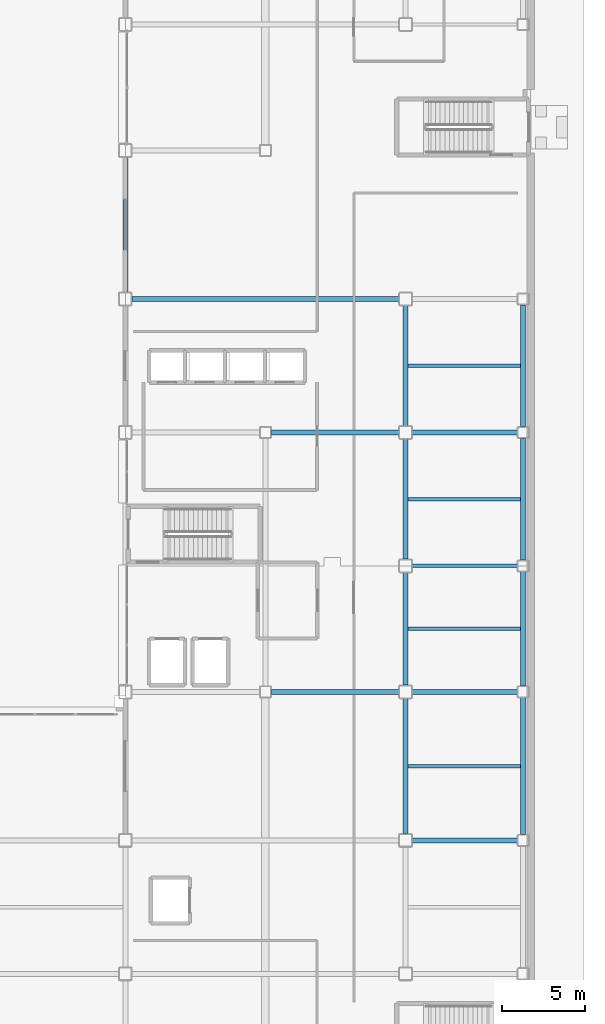
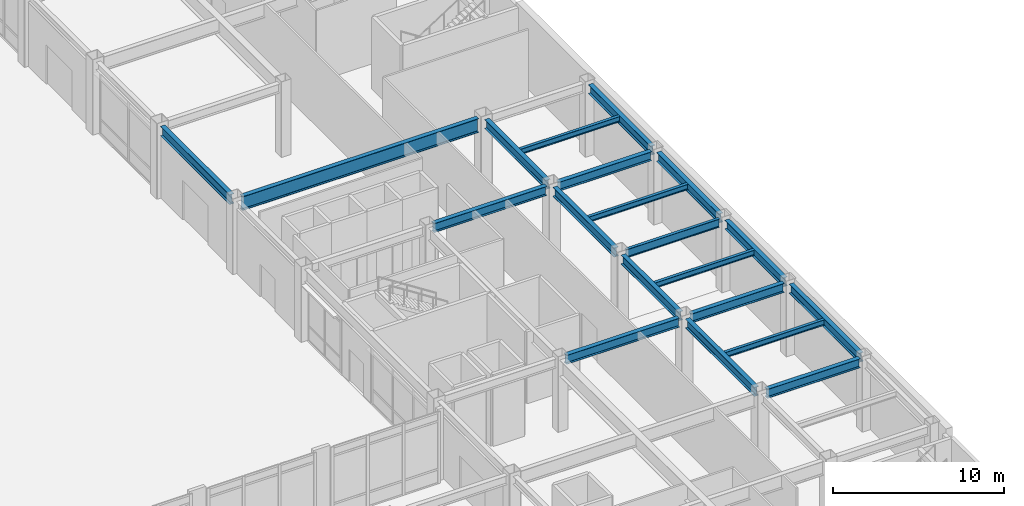
# One storey, part 100 of 165: 20 beams.
"""IFC4 building model written with IfcOpenShell, lengths in metres."""

from ifc_helpers import new_model, si_unit, direction, frame, origin, origin_2d, place, context, subcontext, project, spatial, i_section, extrude, material, material_profile, profile_set, type_object, element, save


model = new_model("IFC4")

# Units and contexts
model_context = context("Model", 3, precision=1e-05, world=origin(), true_north=direction((0.0, 1.0)))
body_context = subcontext(model_context, "Body", "Model", "MODEL_VIEW")
ifc_project = project(units=[si_unit("LENGTHUNIT", "METRE"), si_unit("AREAUNIT", "SQUARE_METRE"), si_unit("VOLUMEUNIT", "CUBIC_METRE"), si_unit("PLANEANGLEUNIT", "RADIAN"), si_unit("MASSUNIT", "GRAM", prefix="KILO")], contexts=[model_context])

# Site, building, storey
site_placement = place(None, origin())
site = spatial("IfcSite", under=ifc_project, at=site_placement, CompositionType="ELEMENT")
building_placement = place(site_placement, origin())
building = spatial("IfcBuilding", under=site, at=building_placement, Name="Kazehara Bluff Congress Hotel", CompositionType="ELEMENT")
storey_placement = place(building_placement, origin())
storey = spatial("IfcBuildingStorey", under=building, at=storey_placement, Name="L00", CompositionType="ELEMENT", Elevation=0.0)

# Beams
ifc_material_1 = material(Name="Steel SN490B", Category="steel")
ifc_material_profile_1 = material_profile(ifc_material_1, i_section(OverallWidth=0.300048828125, OverallDepth=0.64990234375, WebThickness=0.011962890625, FlangeThickness=0.02001953125, FilletRadius=0.012939453125, at=origin_2d()))
ifc_profile_set_1 = profile_set([ifc_material_profile_1], Name="Steel SN490B")
beam_type_1 = type_object("IfcBeamType", Name="TP-G-03", PredefinedType="BEAM", material=ifc_profile_set_1)
beam_1_placement = place(storey_placement, frame((160.5, 32.39990234375, 4.824951171875), z_axis=(0.0, 1.0, 0.0), x_axis=(-1.0, 0.0, 0.0)))
element("IfcBeam", 1, at=beam_1_placement, inside=storey, type_object=beam_type_1, Name="L00 girder G-03 252", PredefinedType="BEAM", context=body_context, shape_type="SweptSolid", body=[
    extrude(i_section(OverallWidth=0.300048828125, OverallDepth=0.64990234375, WebThickness=0.011962890625, FlangeThickness=0.02001953125, FilletRadius=0.012939453125, at=origin_2d()), origin(), (0.0, 0.0, 1.0), 8.10009765625),
])
beam_2_placement = place(storey_placement, frame((160.5, 41.300048828125, 4.824951171875), z_axis=(0.0, 1.0, 0.0), x_axis=(-1.0, 0.0, 0.0)))
element("IfcBeam", 2, at=beam_2_placement, inside=storey, type_object=beam_type_1, Name="L00 girder G-03 253", PredefinedType="BEAM", context=body_context, shape_type="SweptSolid", body=[
    extrude(i_section(OverallWidth=0.300048828125, OverallDepth=0.64990234375, WebThickness=0.011962890625, FlangeThickness=0.02001953125, FilletRadius=0.012939453125, at=origin_2d()), origin(), (0.0, 0.0, 1.0), 6.75),
])
for number, where, z_axis, x_axis, name in (
    (3, (160.5, 48.85009765625, 4.824951171875), (0.0, 1.0, 0.0), (-1.0, 0.0, 0.0), "L00 girder G-03 254"),
    (4, (160.5, 56.85009765625, 4.824951171875), (0.0, 1.0, 0.0), (-1.0, 0.0, 0.0), "L00 girder G-03 255"),
):
    element("IfcBeam", number, at=place(storey_placement, frame(where, z_axis=z_axis, x_axis=x_axis)), inside=storey, type_object=beam_type_1, Name=name, PredefinedType="BEAM", context=body_context, shape_type="SweptSolid", body=[
        extrude(i_section(OverallWidth=0.300048828125, OverallDepth=0.64990234375, WebThickness=0.011962890625, FlangeThickness=0.02001953125, FilletRadius=0.012939453125, at=origin_2d()), origin(), (0.0, 0.0, 1.0), 7.199951171875),
    ])
beam_3_placement = place(storey_placement, frame((167.550048828125, 32.35009765625, 4.824951171875), z_axis=(0.0, 1.0, 0.0), x_axis=(-1.0, 0.0, 0.0)))
element("IfcBeam", 5, at=beam_3_placement, inside=storey, type_object=beam_type_1, Name="L00 girder G-03 263", PredefinedType="BEAM", context=body_context, shape_type="SweptSolid", body=[
    extrude(i_section(OverallWidth=0.300048828125, OverallDepth=0.64990234375, WebThickness=0.011962890625, FlangeThickness=0.02001953125, FilletRadius=0.012939453125, at=origin_2d()), origin(), (0.0, 0.0, 1.0), 8.199951171875),
])
beam_4_placement = place(storey_placement, frame((167.550048828125, 41.25, 4.824951171875), z_axis=(0.0, 1.0, 0.0), x_axis=(-1.0, 0.0, 0.0)))
element("IfcBeam", 6, at=beam_4_placement, inside=storey, type_object=beam_type_1, Name="L00 girder G-03 264", PredefinedType="BEAM", context=body_context, shape_type="SweptSolid", body=[
    extrude(i_section(OverallWidth=0.300048828125, OverallDepth=0.64990234375, WebThickness=0.011962890625, FlangeThickness=0.02001953125, FilletRadius=0.012939453125, at=origin_2d()), origin(), (0.0, 0.0, 1.0), 6.85009765625),
])
for number, where, z_axis, x_axis, name in (
    (7, (167.550048828125, 48.800048828125, 4.824951171875), (0.0, 1.0, 0.0), (-1.0, 0.0, 0.0), "L00 girder G-03 265"),
    (8, (167.550048828125, 56.800048828125, 4.824951171875), (0.0, 1.0, 0.0), (-1.0, 0.0, 0.0), "L00 girder G-03 266"),
):
    element("IfcBeam", number, at=place(storey_placement, frame(where, z_axis=z_axis, x_axis=x_axis)), inside=storey, type_object=beam_type_1, Name=name, PredefinedType="BEAM", context=body_context, shape_type="SweptSolid", body=[
        extrude(i_section(OverallWidth=0.300048828125, OverallDepth=0.64990234375, WebThickness=0.011962890625, FlangeThickness=0.02001953125, FilletRadius=0.012939453125, at=origin_2d()), origin(), (0.0, 0.0, 1.0), 7.300048828125),
    ])
beam_5_placement = place(storey_placement, frame((160.89990234375, 32.0, 4.824951171875), z_axis=(1.0, 0.0, 0.0), x_axis=(0.0, 1.0, 0.0)))
element("IfcBeam", 9, at=beam_5_placement, inside=storey, type_object=beam_type_1, Name="L00 girder G-03 295", PredefinedType="BEAM", context=body_context, shape_type="SweptSolid", body=[
    extrude(i_section(OverallWidth=0.300048828125, OverallDepth=0.64990234375, WebThickness=0.011962890625, FlangeThickness=0.02001953125, FilletRadius=0.012939453125, at=origin_2d()), origin(), (0.0, 0.0, 1.0), 6.300048828125),
])
beam_6_placement = place(storey_placement, frame((152.449951171875, 40.89990234375, 4.824951171875), z_axis=(1.0, 0.0, 0.0), x_axis=(0.0, 1.0, 0.0)))
element("IfcBeam", 10, at=beam_6_placement, inside=storey, type_object=beam_type_1, Name="L00 girder G-03 297", PredefinedType="BEAM", context=body_context, shape_type="SweptSolid", body=[
    extrude(i_section(OverallWidth=0.300048828125, OverallDepth=0.64990234375, WebThickness=0.011962890625, FlangeThickness=0.02001953125, FilletRadius=0.012939453125, at=origin_2d()), origin(), (0.0, 0.0, 1.0), 7.650146484375),
])
beam_7_placement = place(storey_placement, frame((160.89990234375, 40.89990234375, 4.824951171875), z_axis=(1.0, 0.0, 0.0), x_axis=(0.0, 1.0, 0.0)))
element("IfcBeam", 11, at=beam_7_placement, inside=storey, type_object=beam_type_1, Name="L00 girder G-03 298", PredefinedType="BEAM", context=body_context, shape_type="SweptSolid", body=[
    extrude(i_section(OverallWidth=0.300048828125, OverallDepth=0.64990234375, WebThickness=0.011962890625, FlangeThickness=0.02001953125, FilletRadius=0.012939453125, at=origin_2d()), origin(), (0.0, 0.0, 1.0), 6.300048828125),
])
beam_8_placement = place(storey_placement, frame((152.449951171875, 56.449951171875, 4.824951171875), z_axis=(1.0, 0.0, 0.0), x_axis=(0.0, 1.0, 0.0)))
element("IfcBeam", 12, at=beam_8_placement, inside=storey, type_object=beam_type_1, Name="L00 girder G-03 301", PredefinedType="BEAM", context=body_context, shape_type="SweptSolid", body=[
    extrude(i_section(OverallWidth=0.300048828125, OverallDepth=0.64990234375, WebThickness=0.011962890625, FlangeThickness=0.02001953125, FilletRadius=0.012939453125, at=origin_2d()), origin(), (0.0, 0.0, 1.0), 7.650146484375),
])
beam_9_placement = place(storey_placement, frame((160.89990234375, 56.449951171875, 4.824951171875), z_axis=(1.0, 0.0, 0.0), x_axis=(0.0, 1.0, 0.0)))
element("IfcBeam", 13, at=beam_9_placement, inside=storey, type_object=beam_type_1, Name="L00 girder G-03 302", PredefinedType="BEAM", context=body_context, shape_type="SweptSolid", body=[
    extrude(i_section(OverallWidth=0.300048828125, OverallDepth=0.64990234375, WebThickness=0.011962890625, FlangeThickness=0.02001953125, FilletRadius=0.012939453125, at=origin_2d()), origin(), (0.0, 0.0, 1.0), 6.300048828125),
])
ifc_material_2 = material(Name="Steel SN490B", Category="steel")
ifc_material_profile_2 = material_profile(ifc_material_2, i_section(OverallWidth=0.300048828125, OverallDepth=1.0, WebThickness=0.01611328125, FlangeThickness=0.028076171875, FilletRadius=0.02197265625, at=origin_2d()))
ifc_profile_set_2 = profile_set([ifc_material_profile_2], Name="Steel SN490B")
beam_type_2 = type_object("IfcBeamType", Name="TP-G-09", PredefinedType="BEAM", material=ifc_profile_set_2)
beam_10_placement = place(storey_placement, frame((144.10009765625, 64.449951171875, 4.64990234375), z_axis=(1.0, 0.0, 0.0), x_axis=(0.0, 1.0, 0.0)))
element("IfcBeam", 14, at=beam_10_placement, inside=storey, type_object=beam_type_2, Name="L00 girder G-09 303", PredefinedType="BEAM", context=body_context, shape_type="SweptSolid", body=[
    extrude(i_section(OverallWidth=0.300048828125, OverallDepth=1.0, WebThickness=0.01611328125, FlangeThickness=0.028076171875, FilletRadius=0.02197265625, at=origin_2d()), origin(), (0.0, 0.0, 1.0), 16.0),
])
ifc_material_3 = material(Name="Steel SN400B", Category="steel")
ifc_material_profile_3 = material_profile(ifc_material_3, i_section(OverallWidth=0.199951171875, OverallDepth=0.39990234375, WebThickness=0.008056640625, FlangeThickness=0.012939453125, FilletRadius=0.012939453125, at=origin_2d()))
ifc_profile_set_3 = profile_set([ifc_material_profile_3], Name="Steel SN400B")
beam_type_3 = type_object("IfcBeamType", Name="TP-J-03", PredefinedType="JOIST", material=ifc_profile_set_3)
for number, where, z_axis, x_axis, name in (
    (15, (160.64990234375, 36.449951171875, 4.949951171875), (1.0, 0.0, 0.0), (0.0, 1.0, 0.0), "L00 secondary joist J-03 72"),
    (16, (160.64990234375, 44.675048828125, 4.949951171875), (1.0, 0.0, 0.0), (0.0, 1.0, 0.0), "L00 secondary joist J-03 73"),
    (17, (160.64990234375, 52.449951171875, 4.949951171875), (1.0, 0.0, 0.0), (0.0, 1.0, 0.0), "L00 secondary joist J-03 74"),
    (18, (160.64990234375, 60.449951171875, 4.949951171875), (1.0, 0.0, 0.0), (0.0, 1.0, 0.0), "L00 secondary joist J-03 75"),
):
    element("IfcBeam", number, at=place(storey_placement, frame(where, z_axis=z_axis, x_axis=x_axis)), inside=storey, type_object=beam_type_3, Name=name, PredefinedType="JOIST", context=body_context, shape_type="SweptSolid", body=[
        extrude(i_section(OverallWidth=0.199951171875, OverallDepth=0.39990234375, WebThickness=0.008056640625, FlangeThickness=0.012939453125, FilletRadius=0.012939453125, at=origin_2d()), origin(), (0.0, 0.0, 1.0), 6.75),
    ])
ifc_material_4 = material(Name="Steel SN490B", Category="steel")
ifc_material_profile_4 = material_profile(ifc_material_4, i_section(OverallWidth=0.199951171875, OverallDepth=0.60009765625, WebThickness=0.010986328125, FlangeThickness=0.01708984375, FilletRadius=0.012939453125, at=origin_2d()))
ifc_profile_set_4 = profile_set([ifc_material_profile_4], Name="Steel SN490B")
beam_type_4 = type_object("IfcBeamType", Name="TP-SP-02", PredefinedType="SPANDREL", material=ifc_profile_set_4)
beam_11_placement = place(storey_placement, frame((160.89990234375, 48.449951171875, 4.85009765625), z_axis=(1.0, 0.0, 0.0), x_axis=(0.0, 1.0, 0.0)))
element("IfcBeam", 19, at=beam_11_placement, inside=storey, type_object=beam_type_4, Name="L00 girder SP-02 299", PredefinedType="SPANDREL", context=body_context, shape_type="SweptSolid", body=[
    extrude(i_section(OverallWidth=0.199951171875, OverallDepth=0.60009765625, WebThickness=0.010986328125, FlangeThickness=0.01708984375, FilletRadius=0.012939453125, at=origin_2d()), origin(), (0.0, 0.0, 1.0), 6.300048828125),
])
ifc_material_5 = material(Name="Steel SN490B", Category="steel")
ifc_material_profile_5 = material_profile(ifc_material_5, i_section(OverallWidth=0.300048828125, OverallDepth=0.699951171875, WebThickness=0.012939453125, FlangeThickness=0.02392578125, FilletRadius=0.01806640625, at=origin_2d()))
ifc_profile_set_5 = profile_set([ifc_material_profile_5], Name="Steel SN490B")
beam_type_5 = type_object("IfcBeamType", Name="TP-SP-03", PredefinedType="SPANDREL", material=ifc_profile_set_5)
beam_12_placement = place(storey_placement, frame((143.699951171875, 64.85009765625, 4.800048828125), z_axis=(0.0, 1.0, 0.0), x_axis=(-1.0, 0.0, 0.0)))
element("IfcBeam", 20, at=beam_12_placement, inside=storey, type_object=beam_type_5, Name="L00 girder SP-03 236", PredefinedType="SPANDREL", context=body_context, shape_type="SweptSolid", body=[
    extrude(i_section(OverallWidth=0.300048828125, OverallDepth=0.699951171875, WebThickness=0.012939453125, FlangeThickness=0.02392578125, FilletRadius=0.01806640625, at=origin_2d()), origin(), (0.0, 0.0, 1.0), 8.099853515625),
])

save(model, "model.ifc")
